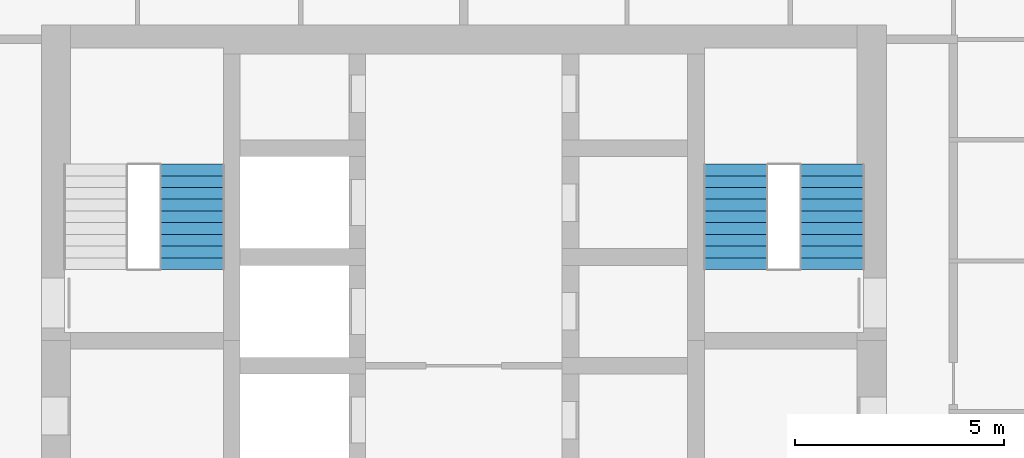
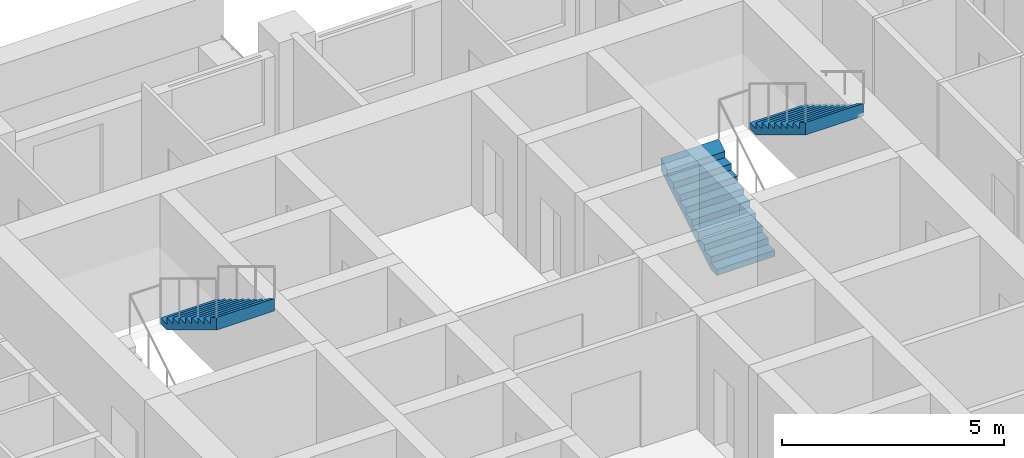
# One storey, part 16 of 18: 3 stair flights, 2 elements without a shape of their own.
"""IFC4 building model written with IfcOpenShell, lengths in metres."""

import ifcopenshell
import ifcopenshell.guid

model = None  # the IFC model being written
_history = None  # IfcOwnerHistory: only IFC2X3 demands one
_inside = {}  # id of a spatial element -> (the spatial element, [elements in it])
_under = {}  # id of a project, library or spatial element -> (it, [spatial elements below it])
_declared = {}  # id of a project -> (the project, [libraries it declares])
_typed = {}  # id of a type object -> (the type object, [elements of that type])
_made_of = {}  # id of a material, layer set ... -> (it, [elements and type objects made of it])


def new_model(schema):
    """Start an empty IFC model of exactly this schema.

    Asked for "IFC4X3", IfcOpenShell would pick the latest addendum, in which some entities
    have other attributes; the version numbers below select the first issue.
    IFC2X3 requires an IfcOwnerHistory on every rooted entity: one is made here for all.
    """
    global model, _history
    if schema == "IFC4X3":
        model = ifcopenshell.file(schema_version=(4, 3, 0, 0))
    else:
        model = ifcopenshell.file(schema=schema)
    _inside.clear()
    _under.clear()
    _declared.clear()
    _typed.clear()
    _made_of.clear()
    _history = None
    if model.schema == "IFC2X3":
        org = make("IfcOrganization", Name="unknown")
        user = make(
            "IfcPersonAndOrganization",
            ThePerson=make("IfcPerson", FamilyName="unknown"),
            TheOrganization=org,
        )
        app = make(
            "IfcApplication",
            ApplicationDeveloper=org,
            Version="unknown",
            ApplicationFullName="unknown",
            ApplicationIdentifier="unknown",
        )
        _history = make(
            "IfcOwnerHistory",
            OwningUser=user,
            OwningApplication=app,
            ChangeAction="ADDED",
            CreationDate=0,
        )
    return model


def make(cls, **values):
    """One entity of the class cls with the attributes given. An attribute that is None is left unset."""
    return model.create_entity(
        cls, **{name: value for name, value in values.items() if value is not None}
    )


def rooted(cls, **values):
    """An entity with a GlobalId (a new one), such as an element, a storey or a relation."""
    return make(cls, GlobalId=ifcopenshell.guid.new(), OwnerHistory=_history, **values)


def si_unit(unit_type, name, prefix=None):
    """IfcSIUnit, for example si_unit("LENGTHUNIT", "METRE", prefix="MILLI")."""
    return make("IfcSIUnit", UnitType=unit_type, Prefix=prefix, Name=name)


def assignment(units):
    """IfcUnitAssignment: the units of a project."""
    return None if units is None else make("IfcUnitAssignment", Units=units)


def point(xyz):
    """IfcCartesianPoint."""
    return None if xyz is None else make("IfcCartesianPoint", Coordinates=xyz)


def direction(xyz):
    """IfcDirection."""
    return None if xyz is None else make("IfcDirection", DirectionRatios=xyz)


def frame(location, z_axis=None, x_axis=None):
    """IfcAxis2Placement3D, a coordinate frame: its origin and axes. An axis left out is left unset."""
    return make(
        "IfcAxis2Placement3D",
        Location=point(location),
        Axis=direction(z_axis),
        RefDirection=direction(x_axis),
    )


def origin():
    """The frame at (0, 0, 0) with its axes left unset."""
    return frame((0.0, 0.0, 0.0))


def place(relative_to, where):
    """IfcLocalPlacement: puts the frame where relative to a parent placement (None: the world)."""
    return make(
        "IfcLocalPlacement", PlacementRelTo=relative_to, RelativePlacement=where
    )


def context(
    kind, dimensions, precision=None, world=None, true_north=None, identifier=None
):
    """IfcGeometricRepresentationContext, for example the 3D "Model" context."""
    return make(
        "IfcGeometricRepresentationContext",
        ContextIdentifier=identifier,
        ContextType=kind,
        CoordinateSpaceDimension=dimensions,
        Precision=precision,
        WorldCoordinateSystem=world,
        TrueNorth=true_north,
    )


def subcontext(parent, identifier, kind, view, scale=None):
    """IfcGeometricRepresentationSubContext, for example "Body" below "Model"."""
    return make(
        "IfcGeometricRepresentationSubContext",
        ContextIdentifier=identifier,
        ContextType=kind,
        ParentContext=parent,
        TargetScale=scale,
        TargetView=view,
    )


def project(units=None, contexts=None):
    """IfcProject with its units and contexts."""
    return rooted(
        "IfcProject",
        Name="project",
        RepresentationContexts=contexts,
        UnitsInContext=assignment(units),
    )


def spatial(cls, under=None, at=None, **own):
    """A site, building, storey or space (cls), placed at a placement, below another one or the project."""
    s = rooted(cls, ObjectPlacement=at, **own)
    if under is not None:
        _under.setdefault(under.id(), (under, []))[1].append(s)
    return s


def point_list(points):
    """IfcCartesianPointList2D or 3D."""
    cls = (
        "IfcCartesianPointList2D" if len(points[0]) == 2 else "IfcCartesianPointList3D"
    )
    return make(cls, CoordList=points)


def triangles(points, corners, closed=None, point_numbers=None):
    """IfcTriangulatedFaceSet: each triangle names its three corners, points numbered from 1."""
    return make(
        "IfcTriangulatedFaceSet",
        Coordinates=point_list(points),
        Closed=closed,
        CoordIndex=corners,
        PnIndex=point_numbers,
    )


def shape(context_of_items, identifier, shape_type, items):
    """IfcShapeRepresentation: the items that make up one representation, for example the "Body"."""
    return make(
        "IfcShapeRepresentation",
        ContextOfItems=context_of_items,
        RepresentationIdentifier=identifier,
        RepresentationType=shape_type,
        Items=items,
    )


def material(Name=None, Category=None):
    """IfcMaterial."""
    return make("IfcMaterial", Name=Name, Category=Category)


def made_of(thing, what):
    """Note that an element or type object is made of a material, layer set ...; save() writes the relation."""
    if what is not None:
        _made_of.setdefault(what.id(), (what, []))[1].append(thing)
    return thing


def type_object(cls, material=None, **own):
    """A type object (cls), such as IfcWallType, which elements share."""
    return made_of(rooted(cls, **own), material)


def element(
    cls,
    number,
    at=None,
    inside=None,
    cuts=None,
    type_object=None,
    material=None,
    context=None,
    identifier="Body",
    shape_type=None,
    held_by="IfcProductDefinitionShape",
    body=None,
    shapes=None,
    **own,
):
    """One element of the class cls, such as IfcWall. Its Tag is "e" and its number.

    at: its placement. inside: the storey or other place that contains it. cuts: it is an
    opening in that element (IfcRelVoidsElement). A single representation is given by context,
    identifier, shape_type and body (its items); several are given by shapes. held_by: the class
    of the entity that holds the representations. save() writes the other relations.
    """
    e = rooted(cls, Tag="e%d" % number, ObjectPlacement=at, **own)
    if body is not None:
        shapes = [shape(context, identifier, shape_type, body)]
    if shapes is not None:
        e.Representation = make(held_by, Representations=shapes)
    if inside is not None:
        _inside.setdefault(inside.id(), (inside, []))[1].append(e)
    if cuts is not None:
        rooted(
            "IfcRelVoidsElement", RelatingBuildingElement=cuts, RelatedOpeningElement=e
        )
    if type_object is not None:
        _typed.setdefault(type_object.id(), (type_object, []))[1].append(e)
    return made_of(e, material)


def aggregate(whole, parts):
    """IfcRelAggregates: a whole, such as a stair, and the parts it consists of."""
    return rooted("IfcRelAggregates", RelatingObject=whole, RelatedObjects=parts)


def save(model, path):
    """Write the relations noted so far, then the file.

    IfcRelAggregates (storeys below a building ...), IfcRelContainedInSpatialStructure (elements
    in a storey), IfcRelDefinesByType, IfcRelAssociatesMaterial and IfcRelDeclares: one each for
    every whole, place, type object, material and project.
    """
    for whole, parts in _under.values():
        aggregate(whole, parts)
    for where, things in _inside.values():
        rooted(
            "IfcRelContainedInSpatialStructure",
            RelatedElements=things,
            RelatingStructure=where,
        )
    for kind, things in _typed.values():
        rooted("IfcRelDefinesByType", RelatedObjects=things, RelatingType=kind)
    for what, things in _made_of.values():
        rooted("IfcRelAssociatesMaterial", RelatedObjects=things, RelatingMaterial=what)
    for by, libraries in _declared.values():
        rooted("IfcRelDeclares", RelatingContext=by, RelatedDefinitions=libraries)
    model.write(path)


model = new_model("IFC4")

# Units and contexts
model_context = context("Model", 3, precision=1e-05, world=origin(), true_north=direction((0.0, 1.0)))
body_context = subcontext(model_context, "Body", "Model", "MODEL_VIEW")
ifc_project = project(units=[si_unit("LENGTHUNIT", "METRE"), si_unit("AREAUNIT", "SQUARE_METRE"), si_unit("VOLUMEUNIT", "CUBIC_METRE"), si_unit("PLANEANGLEUNIT", "RADIAN"), si_unit("MASSUNIT", "GRAM", prefix="KILO")], contexts=[model_context])

# Site, building, storey
site_placement = place(None, origin())
site = spatial("IfcSite", under=ifc_project, at=site_placement, CompositionType="ELEMENT")
building_placement = place(site_placement, origin())
building = spatial("IfcBuilding", under=site, at=building_placement, Name="Ludao Terraces", CompositionType="ELEMENT")
storey_placement = place(building_placement, frame((0.0, 0.0, 64.800048828125)))
storey = spatial("IfcBuildingStorey", under=building, at=storey_placement, Name="L17", CompositionType="ELEMENT", Elevation=64.800048828125)

# Stair, stair flight
ifc_material = material(Name="Concrete C40", Category="concrete")
stair_type = type_object("IfcStairType", Name="INT Stair", PredefinedType="HALF_TURN_STAIR", material=ifc_material)
stair_1_placement = place(storey_placement, origin())
stair_1 = element("IfcStair", 1, at=stair_1_placement, inside=storey, type_object=stair_type, Name="EXIT STAIR 1", PredefinedType="HALF_TURN_STAIR")
stair_flight_type = type_object("IfcStairFlightType", Name="INT Stair flight", PredefinedType="STRAIGHT", material=ifc_material)
stair_flight_1_placement = place(storey_placement, frame((78.5, 81.52001953125, 1.699951171875), z_axis=(0.0, 0.0, 1.0), x_axis=(0.0, -1.0, 0.0)))
stair_flight_1 = element("IfcStairFlight", 2, at=stair_flight_1_placement, type_object=stair_flight_type, Name="ST1 flight 2", NumberOfRisers=10, NumberOfTreads=9, PredefinedType="STRAIGHT", RiserHeight=0.17, TreadLength=0.28, context=body_context, shape_type="Tessellation", body=[
    triangles([(0.0, -0.75, 0.0), (0.0, -0.5, 0.0), (0.0, -0.25, 0.0), (0.0, 0.0, 0.0), (0.0, 0.25, 0.0), (0.0, 0.5, 0.0), (0.0, 0.75, 0.0), (0.0, -0.75, 0.169921875), (0.0, -0.5, 0.169921875), (0.0, -0.25, 0.169921875), (0.0, 0.0, 0.169921875), (0.0, 0.25, 0.169921875), (0.0, 0.5, 0.169921875), (0.0, 0.75, 0.169921875), (0.280029296875, -0.75, 0.169921875), (0.280029296875, -0.5, 0.169921875), (0.280029296875, -0.25, 0.169921875), (0.280029296875, 0.0, 0.169921875), (0.280029296875, 0.25, 0.169921875), (0.280029296875, 0.5, 0.169921875), (0.280029296875, 0.75, 0.169921875), (0.280029296875, -0.75, 0.340087890625), (0.280029296875, -0.5, 0.340087890625), (0.280029296875, -0.25, 0.340087890625), (0.280029296875, 0.0, 0.340087890625), (0.280029296875, 0.25, 0.340087890625), (0.280029296875, 0.5, 0.340087890625), (0.280029296875, 0.75, 0.340087890625), (0.56005859375, -0.75, 0.340087890625), (0.56005859375, -0.5, 0.340087890625), (0.56005859375, -0.25, 0.340087890625), (0.56005859375, 0.0, 0.340087890625), (0.56005859375, 0.25, 0.340087890625), (0.56005859375, 0.5, 0.340087890625), (0.56005859375, 0.75, 0.340087890625), (0.56005859375, -0.75, 0.510009765625), (0.56005859375, -0.5, 0.510009765625), (0.56005859375, -0.25, 0.510009765625), (0.56005859375, 0.0, 0.510009765625), (0.56005859375, 0.25, 0.510009765625), (0.56005859375, 0.5, 0.510009765625), (0.56005859375, 0.75, 0.510009765625), (0.840087890625, -0.75, 0.510009765625), (0.840087890625, -0.5, 0.510009765625), (0.840087890625, -0.25, 0.510009765625), (0.840087890625, 0.0, 0.510009765625), (0.840087890625, 0.25, 0.510009765625), (0.840087890625, 0.5, 0.510009765625), (0.840087890625, 0.75, 0.510009765625), (0.840087890625, -0.75, 0.679931640625), (0.840087890625, -0.5, 0.679931640625), (0.840087890625, -0.25, 0.679931640625), (0.840087890625, 0.0, 0.679931640625), (0.840087890625, 0.25, 0.679931640625), (0.840087890625, 0.5, 0.679931640625), (0.840087890625, 0.75, 0.679931640625), (1.1201171875, -0.75, 0.679931640625), (1.1201171875, -0.5, 0.679931640625), (1.1201171875, -0.25, 0.679931640625), (1.1201171875, 0.0, 0.679931640625), (1.1201171875, 0.25, 0.679931640625), (1.1201171875, 0.5, 0.679931640625), (1.1201171875, 0.75, 0.679931640625), (1.1201171875, -0.75, 0.85009765625), (1.1201171875, -0.5, 0.85009765625), (1.1201171875, -0.25, 0.85009765625), (1.1201171875, 0.0, 0.85009765625), (1.1201171875, 0.25, 0.85009765625), (1.1201171875, 0.5, 0.85009765625), (1.1201171875, 0.75, 0.85009765625), (1.39990234375, -0.75, 0.85009765625), (1.39990234375, -0.5, 0.85009765625), (1.39990234375, -0.25, 0.85009765625), (1.39990234375, 0.0, 0.85009765625), (1.39990234375, 0.25, 0.85009765625), (1.39990234375, 0.5, 0.85009765625), (1.39990234375, 0.75, 0.85009765625), (1.39990234375, -0.75, 1.02001953125), (1.39990234375, -0.5, 1.02001953125), (1.39990234375, -0.25, 1.02001953125), (1.39990234375, 0.0, 1.02001953125), (1.39990234375, 0.25, 1.02001953125), (1.39990234375, 0.5, 1.02001953125), (1.39990234375, 0.75, 1.02001953125), (1.679931640625, -0.75, 1.02001953125), (1.679931640625, -0.5, 1.02001953125), (1.679931640625, -0.25, 1.02001953125), (1.679931640625, 0.0, 1.02001953125), (1.679931640625, 0.25, 1.02001953125), (1.679931640625, 0.5, 1.02001953125), (1.679931640625, 0.75, 1.02001953125), (1.679931640625, -0.75, 1.18994140625), (1.679931640625, -0.5, 1.18994140625), (1.679931640625, -0.25, 1.18994140625), (1.679931640625, 0.0, 1.18994140625), (1.679931640625, 0.25, 1.18994140625), (1.679931640625, 0.5, 1.18994140625), (1.679931640625, 0.75, 1.18994140625), (1.9599609375, -0.75, 1.18994140625), (1.9599609375, -0.5, 1.18994140625), (1.9599609375, -0.25, 1.18994140625), (1.9599609375, 0.0, 1.18994140625), (1.9599609375, 0.25, 1.18994140625), (1.9599609375, 0.5, 1.18994140625), (1.9599609375, 0.75, 1.18994140625), (1.9599609375, -0.75, 1.360107421875), (1.9599609375, -0.5, 1.360107421875), (1.9599609375, -0.25, 1.360107421875), (1.9599609375, 0.0, 1.360107421875), (1.9599609375, 0.25, 1.360107421875), (1.9599609375, 0.5, 1.360107421875), (1.9599609375, 0.75, 1.360107421875), (2.239990234375, -0.75, 1.360107421875), (2.239990234375, -0.5, 1.360107421875), (2.239990234375, -0.25, 1.360107421875), (2.239990234375, 0.0, 1.360107421875), (2.239990234375, 0.25, 1.360107421875), (2.239990234375, 0.5, 1.360107421875), (2.239990234375, 0.75, 1.360107421875), (2.239990234375, -0.75, 1.530029296875), (2.239990234375, -0.5, 1.530029296875), (2.239990234375, -0.25, 1.530029296875), (2.239990234375, 0.0, 1.530029296875), (2.239990234375, 0.25, 1.530029296875), (2.239990234375, 0.5, 1.530029296875), (2.239990234375, 0.75, 1.530029296875), (2.52001953125, -0.75, 1.699951171875), (2.52001953125, -0.5, 1.699951171875), (2.52001953125, -0.25, 1.699951171875), (2.52001953125, 0.0, 1.699951171875), (2.52001953125, 0.25, 1.699951171875), (2.52001953125, 0.5, 1.699951171875), (2.52001953125, 0.75, 1.699951171875), (2.52001953125, -0.75, 1.354736328125), (2.52001953125, -0.5, 1.354736328125), (2.52001953125, -0.25, 1.354736328125), (2.52001953125, 0.0, 1.354736328125), (2.52001953125, 0.25, 1.354736328125), (2.52001953125, 0.5, 1.354736328125), (2.52001953125, 0.75, 1.354736328125), (0.288818359375, -0.75, 0.0), (0.288818359375, -0.5, 0.0), (0.288818359375, -0.25, 0.0), (0.288818359375, 0.0, 0.0), (0.288818359375, 0.25, 0.0), (0.288818359375, 0.5, 0.0), (0.288818359375, 0.75, 0.0)], [[1, 141, 134], [7, 140, 147], [134, 127, 120], [140, 126, 133], [134, 120, 113], [140, 119, 126], [134, 113, 106], [140, 112, 119], [134, 106, 99], [140, 105, 112], [99, 92, 85], [105, 91, 98], [134, 99, 85], [140, 91, 105], [85, 78, 71], [91, 77, 84], [134, 85, 71], [140, 77, 91], [71, 64, 57], [77, 63, 70], [134, 71, 57], [140, 63, 77], [57, 50, 43], [63, 49, 56], [134, 57, 43], [140, 49, 63], [43, 36, 29], [49, 35, 42], [134, 43, 29], [140, 35, 49], [29, 22, 15], [35, 21, 28], [134, 29, 15], [140, 21, 35], [1, 134, 15], [7, 21, 140], [15, 8, 1], [21, 7, 14], [1, 9, 2], [1, 8, 9], [2, 10, 3], [2, 9, 10], [3, 11, 4], [3, 10, 11], [4, 12, 5], [4, 11, 12], [5, 13, 6], [5, 12, 13], [6, 14, 7], [6, 13, 14], [8, 16, 9], [8, 15, 16], [9, 17, 10], [9, 16, 17], [10, 18, 11], [10, 17, 18], [11, 19, 12], [11, 18, 19], [12, 20, 13], [12, 19, 20], [13, 21, 14], [13, 20, 21], [15, 23, 16], [15, 22, 23], [16, 24, 17], [16, 23, 24], [17, 25, 18], [17, 24, 25], [18, 26, 19], [18, 25, 26], [19, 27, 20], [19, 26, 27], [20, 28, 21], [20, 27, 28], [22, 30, 23], [22, 29, 30], [23, 31, 24], [23, 30, 31], [24, 32, 25], [24, 31, 32], [25, 33, 26], [25, 32, 33], [26, 34, 27], [26, 33, 34], [27, 35, 28], [27, 34, 35], [29, 37, 30], [29, 36, 37], [30, 38, 31], [30, 37, 38], [31, 39, 32], [31, 38, 39], [32, 40, 33], [32, 39, 40], [33, 41, 34], [33, 40, 41], [34, 42, 35], [34, 41, 42], [36, 44, 37], [36, 43, 44], [37, 45, 38], [37, 44, 45], [38, 46, 39], [38, 45, 46], [39, 47, 40], [39, 46, 47], [40, 48, 41], [40, 47, 48], [41, 49, 42], [41, 48, 49], [43, 51, 44], [43, 50, 51], [44, 52, 45], [44, 51, 52], [45, 53, 46], [45, 52, 53], [46, 54, 47], [46, 53, 54], [47, 55, 48], [47, 54, 55], [48, 56, 49], [48, 55, 56], [50, 58, 51], [50, 57, 58], [51, 59, 52], [51, 58, 59], [52, 60, 53], [52, 59, 60], [53, 61, 54], [53, 60, 61], [54, 62, 55], [54, 61, 62], [55, 63, 56], [55, 62, 63], [57, 65, 58], [57, 64, 65], [58, 66, 59], [58, 65, 66], [59, 67, 60], [59, 66, 67], [60, 68, 61], [60, 67, 68], [61, 69, 62], [61, 68, 69], [62, 70, 63], [62, 69, 70], [64, 72, 65], [64, 71, 72], [65, 73, 66], [65, 72, 73], [66, 74, 67], [66, 73, 74], [67, 75, 68], [67, 74, 75], [68, 76, 69], [68, 75, 76], [69, 77, 70], [69, 76, 77], [71, 79, 72], [71, 78, 79], [72, 80, 73], [72, 79, 80], [73, 81, 74], [73, 80, 81], [74, 82, 75], [74, 81, 82], [75, 83, 76], [75, 82, 83], [76, 84, 77], [76, 83, 84], [78, 86, 79], [78, 85, 86], [79, 87, 80], [79, 86, 87], [80, 88, 81], [80, 87, 88], [81, 89, 82], [81, 88, 89], [82, 90, 83], [82, 89, 90], [83, 91, 84], [83, 90, 91], [85, 93, 86], [85, 92, 93], [86, 94, 87], [86, 93, 94], [87, 95, 88], [87, 94, 95], [88, 96, 89], [88, 95, 96], [89, 97, 90], [89, 96, 97], [90, 98, 91], [90, 97, 98], [92, 100, 93], [92, 99, 100], [93, 101, 94], [93, 100, 101], [94, 102, 95], [94, 101, 102], [95, 103, 96], [95, 102, 103], [96, 104, 97], [96, 103, 104], [97, 105, 98], [97, 104, 105], [99, 107, 100], [99, 106, 107], [100, 108, 101], [100, 107, 108], [101, 109, 102], [101, 108, 109], [102, 110, 103], [102, 109, 110], [103, 111, 104], [103, 110, 111], [104, 112, 105], [104, 111, 112], [106, 114, 107], [106, 113, 114], [107, 115, 108], [107, 114, 115], [108, 116, 109], [108, 115, 116], [109, 117, 110], [109, 116, 117], [110, 118, 111], [110, 117, 118], [111, 119, 112], [111, 118, 119], [113, 121, 114], [113, 120, 121], [114, 122, 115], [114, 121, 122], [115, 123, 116], [115, 122, 123], [116, 124, 117], [116, 123, 124], [117, 125, 118], [117, 124, 125], [118, 126, 119], [118, 125, 126], [120, 128, 121], [120, 127, 128], [121, 129, 122], [121, 128, 129], [122, 130, 123], [122, 129, 130], [123, 131, 124], [123, 130, 131], [124, 132, 125], [124, 131, 132], [125, 133, 126], [125, 132, 133], [127, 135, 128], [127, 134, 135], [128, 136, 129], [128, 135, 136], [129, 137, 130], [129, 136, 137], [130, 138, 131], [130, 137, 138], [131, 139, 132], [131, 138, 139], [132, 140, 133], [132, 139, 140], [134, 142, 135], [134, 141, 142], [135, 143, 136], [135, 142, 143], [136, 144, 137], [136, 143, 144], [137, 145, 138], [137, 144, 145], [138, 146, 139], [138, 145, 146], [139, 147, 140], [139, 146, 147], [141, 2, 142], [141, 1, 2], [142, 3, 143], [142, 2, 3], [143, 4, 144], [143, 3, 4], [144, 5, 145], [144, 4, 5], [145, 6, 146], [145, 5, 6], [146, 7, 147], [146, 6, 7]], closed=True),
])
aggregate(stair_1, [stair_flight_1])

# Stair, stair flights
stair_2_placement = place(storey_placement, origin())
stair_2 = element("IfcStair", 3, at=stair_2_placement, inside=storey, type_object=stair_type, Name="EXIT STAIR 2", PredefinedType="HALF_TURN_STAIR")
stair_flight_2_placement = place(storey_placement, frame((91.5, 79.0, 0.0), z_axis=(0.0, 0.0, 1.0), x_axis=(0.0, 1.0, 0.0)))
stair_flight_2 = element("IfcStairFlight", 4, at=stair_flight_2_placement, type_object=stair_flight_type, Name="ST2 flight 1", NumberOfRisers=10, NumberOfTreads=9, PredefinedType="STRAIGHT", RiserHeight=0.17, TreadLength=0.28, context=body_context, shape_type="Tessellation", body=[
    triangles([(0.0, -0.75, 0.0), (0.0, -0.5, 0.0), (0.0, -0.25, 0.0), (0.0, 0.0, 0.0), (0.0, 0.25, 0.0), (0.0, 0.5, 0.0), (0.0, 0.75, 0.0), (0.0, -0.75, 0.169921875), (0.0, -0.5, 0.169921875), (0.0, -0.25, 0.169921875), (0.0, 0.0, 0.169921875), (0.0, 0.25, 0.169921875), (0.0, 0.5, 0.169921875), (0.0, 0.75, 0.169921875), (0.280029296875, -0.75, 0.169921875), (0.280029296875, -0.5, 0.169921875), (0.280029296875, -0.25, 0.169921875), (0.280029296875, 0.0, 0.169921875), (0.280029296875, 0.25, 0.169921875), (0.280029296875, 0.5, 0.169921875), (0.280029296875, 0.75, 0.169921875), (0.280029296875, -0.75, 0.340087890625), (0.280029296875, -0.5, 0.340087890625), (0.280029296875, -0.25, 0.340087890625), (0.280029296875, 0.0, 0.340087890625), (0.280029296875, 0.25, 0.340087890625), (0.280029296875, 0.5, 0.340087890625), (0.280029296875, 0.75, 0.340087890625), (0.56005859375, -0.75, 0.340087890625), (0.56005859375, -0.5, 0.340087890625), (0.56005859375, -0.25, 0.340087890625), (0.56005859375, 0.0, 0.340087890625), (0.56005859375, 0.25, 0.340087890625), (0.56005859375, 0.5, 0.340087890625), (0.56005859375, 0.75, 0.340087890625), (0.56005859375, -0.75, 0.510009765625), (0.56005859375, -0.5, 0.510009765625), (0.56005859375, -0.25, 0.510009765625), (0.56005859375, 0.0, 0.510009765625), (0.56005859375, 0.25, 0.510009765625), (0.56005859375, 0.5, 0.510009765625), (0.56005859375, 0.75, 0.510009765625), (0.840087890625, -0.75, 0.510009765625), (0.840087890625, -0.5, 0.510009765625), (0.840087890625, -0.25, 0.510009765625), (0.840087890625, 0.0, 0.510009765625), (0.840087890625, 0.25, 0.510009765625), (0.840087890625, 0.5, 0.510009765625), (0.840087890625, 0.75, 0.510009765625), (0.840087890625, -0.75, 0.679931640625), (0.840087890625, -0.5, 0.679931640625), (0.840087890625, -0.25, 0.679931640625), (0.840087890625, 0.0, 0.679931640625), (0.840087890625, 0.25, 0.679931640625), (0.840087890625, 0.5, 0.679931640625), (0.840087890625, 0.75, 0.679931640625), (1.1201171875, -0.75, 0.679931640625), (1.1201171875, -0.5, 0.679931640625), (1.1201171875, -0.25, 0.679931640625), (1.1201171875, 0.0, 0.679931640625), (1.1201171875, 0.25, 0.679931640625), (1.1201171875, 0.5, 0.679931640625), (1.1201171875, 0.75, 0.679931640625), (1.1201171875, -0.75, 0.85009765625), (1.1201171875, -0.5, 0.85009765625), (1.1201171875, -0.25, 0.85009765625), (1.1201171875, 0.0, 0.85009765625), (1.1201171875, 0.25, 0.85009765625), (1.1201171875, 0.5, 0.85009765625), (1.1201171875, 0.75, 0.85009765625), (1.39990234375, -0.75, 0.85009765625), (1.39990234375, -0.5, 0.85009765625), (1.39990234375, -0.25, 0.85009765625), (1.39990234375, 0.0, 0.85009765625), (1.39990234375, 0.25, 0.85009765625), (1.39990234375, 0.5, 0.85009765625), (1.39990234375, 0.75, 0.85009765625), (1.39990234375, -0.75, 1.02001953125), (1.39990234375, -0.5, 1.02001953125), (1.39990234375, -0.25, 1.02001953125), (1.39990234375, 0.0, 1.02001953125), (1.39990234375, 0.25, 1.02001953125), (1.39990234375, 0.5, 1.02001953125), (1.39990234375, 0.75, 1.02001953125), (1.679931640625, -0.75, 1.02001953125), (1.679931640625, -0.5, 1.02001953125), (1.679931640625, -0.25, 1.02001953125), (1.679931640625, 0.0, 1.02001953125), (1.679931640625, 0.25, 1.02001953125), (1.679931640625, 0.5, 1.02001953125), (1.679931640625, 0.75, 1.02001953125), (1.679931640625, -0.75, 1.18994140625), (1.679931640625, -0.5, 1.18994140625), (1.679931640625, -0.25, 1.18994140625), (1.679931640625, 0.0, 1.18994140625), (1.679931640625, 0.25, 1.18994140625), (1.679931640625, 0.5, 1.18994140625), (1.679931640625, 0.75, 1.18994140625), (1.9599609375, -0.75, 1.18994140625), (1.9599609375, -0.5, 1.18994140625), (1.9599609375, -0.25, 1.18994140625), (1.9599609375, 0.0, 1.18994140625), (1.9599609375, 0.25, 1.18994140625), (1.9599609375, 0.5, 1.18994140625), (1.9599609375, 0.75, 1.18994140625), (1.9599609375, -0.75, 1.360107421875), (1.9599609375, -0.5, 1.360107421875), (1.9599609375, -0.25, 1.360107421875), (1.9599609375, 0.0, 1.360107421875), (1.9599609375, 0.25, 1.360107421875), (1.9599609375, 0.5, 1.360107421875), (1.9599609375, 0.75, 1.360107421875), (2.239990234375, -0.75, 1.360107421875), (2.239990234375, -0.5, 1.360107421875), (2.239990234375, -0.25, 1.360107421875), (2.239990234375, 0.0, 1.360107421875), (2.239990234375, 0.25, 1.360107421875), (2.239990234375, 0.5, 1.360107421875), (2.239990234375, 0.75, 1.360107421875), (2.239990234375, -0.75, 1.530029296875), (2.239990234375, -0.5, 1.530029296875), (2.239990234375, -0.25, 1.530029296875), (2.239990234375, 0.0, 1.530029296875), (2.239990234375, 0.25, 1.530029296875), (2.239990234375, 0.5, 1.530029296875), (2.239990234375, 0.75, 1.530029296875), (2.52001953125, -0.75, 1.699951171875), (2.52001953125, -0.5, 1.699951171875), (2.52001953125, -0.25, 1.699951171875), (2.52001953125, 0.0, 1.699951171875), (2.52001953125, 0.25, 1.699951171875), (2.52001953125, 0.5, 1.699951171875), (2.52001953125, 0.75, 1.699951171875), (2.52001953125, -0.75, 1.354736328125), (2.52001953125, -0.5, 1.354736328125), (2.52001953125, -0.25, 1.354736328125), (2.52001953125, 0.0, 1.354736328125), (2.52001953125, 0.25, 1.354736328125), (2.52001953125, 0.5, 1.354736328125), (2.52001953125, 0.75, 1.354736328125), (0.288818359375, -0.75, 0.0), (0.288818359375, -0.5, 0.0), (0.288818359375, -0.25, 0.0), (0.288818359375, 0.0, 0.0), (0.288818359375, 0.25, 0.0), (0.288818359375, 0.5, 0.0), (0.288818359375, 0.75, 0.0)], [[1, 141, 134], [7, 140, 147], [134, 127, 120], [140, 126, 133], [134, 120, 113], [140, 119, 126], [134, 113, 106], [140, 112, 119], [134, 106, 99], [140, 105, 112], [99, 92, 85], [105, 91, 98], [134, 99, 85], [140, 91, 105], [85, 78, 71], [91, 77, 84], [134, 85, 71], [140, 77, 91], [71, 64, 57], [77, 63, 70], [134, 71, 57], [140, 63, 77], [57, 50, 43], [63, 49, 56], [134, 57, 43], [140, 49, 63], [43, 36, 29], [49, 35, 42], [134, 43, 29], [140, 35, 49], [29, 22, 15], [35, 21, 28], [134, 29, 15], [140, 21, 35], [1, 134, 15], [7, 21, 140], [15, 8, 1], [21, 7, 14], [1, 9, 2], [1, 8, 9], [2, 10, 3], [2, 9, 10], [3, 11, 4], [3, 10, 11], [4, 12, 5], [4, 11, 12], [5, 13, 6], [5, 12, 13], [6, 14, 7], [6, 13, 14], [8, 16, 9], [8, 15, 16], [9, 17, 10], [9, 16, 17], [10, 18, 11], [10, 17, 18], [11, 19, 12], [11, 18, 19], [12, 20, 13], [12, 19, 20], [13, 21, 14], [13, 20, 21], [15, 23, 16], [15, 22, 23], [16, 24, 17], [16, 23, 24], [17, 25, 18], [17, 24, 25], [18, 26, 19], [18, 25, 26], [19, 27, 20], [19, 26, 27], [20, 28, 21], [20, 27, 28], [22, 30, 23], [22, 29, 30], [23, 31, 24], [23, 30, 31], [24, 32, 25], [24, 31, 32], [25, 33, 26], [25, 32, 33], [26, 34, 27], [26, 33, 34], [27, 35, 28], [27, 34, 35], [29, 37, 30], [29, 36, 37], [30, 38, 31], [30, 37, 38], [31, 39, 32], [31, 38, 39], [32, 40, 33], [32, 39, 40], [33, 41, 34], [33, 40, 41], [34, 42, 35], [34, 41, 42], [36, 44, 37], [36, 43, 44], [37, 45, 38], [37, 44, 45], [38, 46, 39], [38, 45, 46], [39, 47, 40], [39, 46, 47], [40, 48, 41], [40, 47, 48], [41, 49, 42], [41, 48, 49], [43, 51, 44], [43, 50, 51], [44, 52, 45], [44, 51, 52], [45, 53, 46], [45, 52, 53], [46, 54, 47], [46, 53, 54], [47, 55, 48], [47, 54, 55], [48, 56, 49], [48, 55, 56], [50, 58, 51], [50, 57, 58], [51, 59, 52], [51, 58, 59], [52, 60, 53], [52, 59, 60], [53, 61, 54], [53, 60, 61], [54, 62, 55], [54, 61, 62], [55, 63, 56], [55, 62, 63], [57, 65, 58], [57, 64, 65], [58, 66, 59], [58, 65, 66], [59, 67, 60], [59, 66, 67], [60, 68, 61], [60, 67, 68], [61, 69, 62], [61, 68, 69], [62, 70, 63], [62, 69, 70], [64, 72, 65], [64, 71, 72], [65, 73, 66], [65, 72, 73], [66, 74, 67], [66, 73, 74], [67, 75, 68], [67, 74, 75], [68, 76, 69], [68, 75, 76], [69, 77, 70], [69, 76, 77], [71, 79, 72], [71, 78, 79], [72, 80, 73], [72, 79, 80], [73, 81, 74], [73, 80, 81], [74, 82, 75], [74, 81, 82], [75, 83, 76], [75, 82, 83], [76, 84, 77], [76, 83, 84], [78, 86, 79], [78, 85, 86], [79, 87, 80], [79, 86, 87], [80, 88, 81], [80, 87, 88], [81, 89, 82], [81, 88, 89], [82, 90, 83], [82, 89, 90], [83, 91, 84], [83, 90, 91], [85, 93, 86], [85, 92, 93], [86, 94, 87], [86, 93, 94], [87, 95, 88], [87, 94, 95], [88, 96, 89], [88, 95, 96], [89, 97, 90], [89, 96, 97], [90, 98, 91], [90, 97, 98], [92, 100, 93], [92, 99, 100], [93, 101, 94], [93, 100, 101], [94, 102, 95], [94, 101, 102], [95, 103, 96], [95, 102, 103], [96, 104, 97], [96, 103, 104], [97, 105, 98], [97, 104, 105], [99, 107, 100], [99, 106, 107], [100, 108, 101], [100, 107, 108], [101, 109, 102], [101, 108, 109], [102, 110, 103], [102, 109, 110], [103, 111, 104], [103, 110, 111], [104, 112, 105], [104, 111, 112], [106, 114, 107], [106, 113, 114], [107, 115, 108], [107, 114, 115], [108, 116, 109], [108, 115, 116], [109, 117, 110], [109, 116, 117], [110, 118, 111], [110, 117, 118], [111, 119, 112], [111, 118, 119], [113, 121, 114], [113, 120, 121], [114, 122, 115], [114, 121, 122], [115, 123, 116], [115, 122, 123], [116, 124, 117], [116, 123, 124], [117, 125, 118], [117, 124, 125], [118, 126, 119], [118, 125, 126], [120, 128, 121], [120, 127, 128], [121, 129, 122], [121, 128, 129], [122, 130, 123], [122, 129, 130], [123, 131, 124], [123, 130, 131], [124, 132, 125], [124, 131, 132], [125, 133, 126], [125, 132, 133], [127, 135, 128], [127, 134, 135], [128, 136, 129], [128, 135, 136], [129, 137, 130], [129, 136, 137], [130, 138, 131], [130, 137, 138], [131, 139, 132], [131, 138, 139], [132, 140, 133], [132, 139, 140], [134, 142, 135], [134, 141, 142], [135, 143, 136], [135, 142, 143], [136, 144, 137], [136, 143, 144], [137, 145, 138], [137, 144, 145], [138, 146, 139], [138, 145, 146], [139, 147, 140], [139, 146, 147], [141, 2, 142], [141, 1, 2], [142, 3, 143], [142, 2, 3], [143, 4, 144], [143, 3, 4], [144, 5, 145], [144, 4, 5], [145, 6, 146], [145, 5, 6], [146, 7, 147], [146, 6, 7]], closed=True),
])
stair_flight_3_placement = place(storey_placement, frame((93.800048828125, 81.52001953125, 1.699951171875), z_axis=(0.0, 0.0, 1.0), x_axis=(0.0, -1.0, 0.0)))
stair_flight_3 = element("IfcStairFlight", 5, at=stair_flight_3_placement, type_object=stair_flight_type, Name="ST2 flight 2", NumberOfRisers=10, NumberOfTreads=9, PredefinedType="STRAIGHT", RiserHeight=0.17, TreadLength=0.28, context=body_context, shape_type="Tessellation", body=[
    triangles([(0.0, -0.75, 0.0), (0.0, -0.5, 0.0), (0.0, -0.25, 0.0), (0.0, 0.0, 0.0), (0.0, 0.25, 0.0), (0.0, 0.5, 0.0), (0.0, 0.75, 0.0), (0.0, -0.75, 0.169921875), (0.0, -0.5, 0.169921875), (0.0, -0.25, 0.169921875), (0.0, 0.0, 0.169921875), (0.0, 0.25, 0.169921875), (0.0, 0.5, 0.169921875), (0.0, 0.75, 0.169921875), (0.280029296875, -0.75, 0.169921875), (0.280029296875, -0.5, 0.169921875), (0.280029296875, -0.25, 0.169921875), (0.280029296875, 0.0, 0.169921875), (0.280029296875, 0.25, 0.169921875), (0.280029296875, 0.5, 0.169921875), (0.280029296875, 0.75, 0.169921875), (0.280029296875, -0.75, 0.340087890625), (0.280029296875, -0.5, 0.340087890625), (0.280029296875, -0.25, 0.340087890625), (0.280029296875, 0.0, 0.340087890625), (0.280029296875, 0.25, 0.340087890625), (0.280029296875, 0.5, 0.340087890625), (0.280029296875, 0.75, 0.340087890625), (0.56005859375, -0.75, 0.340087890625), (0.56005859375, -0.5, 0.340087890625), (0.56005859375, -0.25, 0.340087890625), (0.56005859375, 0.0, 0.340087890625), (0.56005859375, 0.25, 0.340087890625), (0.56005859375, 0.5, 0.340087890625), (0.56005859375, 0.75, 0.340087890625), (0.56005859375, -0.75, 0.510009765625), (0.56005859375, -0.5, 0.510009765625), (0.56005859375, -0.25, 0.510009765625), (0.56005859375, 0.0, 0.510009765625), (0.56005859375, 0.25, 0.510009765625), (0.56005859375, 0.5, 0.510009765625), (0.56005859375, 0.75, 0.510009765625), (0.840087890625, -0.75, 0.510009765625), (0.840087890625, -0.5, 0.510009765625), (0.840087890625, -0.25, 0.510009765625), (0.840087890625, 0.0, 0.510009765625), (0.840087890625, 0.25, 0.510009765625), (0.840087890625, 0.5, 0.510009765625), (0.840087890625, 0.75, 0.510009765625), (0.840087890625, -0.75, 0.679931640625), (0.840087890625, -0.5, 0.679931640625), (0.840087890625, -0.25, 0.679931640625), (0.840087890625, 0.0, 0.679931640625), (0.840087890625, 0.25, 0.679931640625), (0.840087890625, 0.5, 0.679931640625), (0.840087890625, 0.75, 0.679931640625), (1.1201171875, -0.75, 0.679931640625), (1.1201171875, -0.5, 0.679931640625), (1.1201171875, -0.25, 0.679931640625), (1.1201171875, 0.0, 0.679931640625), (1.1201171875, 0.25, 0.679931640625), (1.1201171875, 0.5, 0.679931640625), (1.1201171875, 0.75, 0.679931640625), (1.1201171875, -0.75, 0.85009765625), (1.1201171875, -0.5, 0.85009765625), (1.1201171875, -0.25, 0.85009765625), (1.1201171875, 0.0, 0.85009765625), (1.1201171875, 0.25, 0.85009765625), (1.1201171875, 0.5, 0.85009765625), (1.1201171875, 0.75, 0.85009765625), (1.39990234375, -0.75, 0.85009765625), (1.39990234375, -0.5, 0.85009765625), (1.39990234375, -0.25, 0.85009765625), (1.39990234375, 0.0, 0.85009765625), (1.39990234375, 0.25, 0.85009765625), (1.39990234375, 0.5, 0.85009765625), (1.39990234375, 0.75, 0.85009765625), (1.39990234375, -0.75, 1.02001953125), (1.39990234375, -0.5, 1.02001953125), (1.39990234375, -0.25, 1.02001953125), (1.39990234375, 0.0, 1.02001953125), (1.39990234375, 0.25, 1.02001953125), (1.39990234375, 0.5, 1.02001953125), (1.39990234375, 0.75, 1.02001953125), (1.679931640625, -0.75, 1.02001953125), (1.679931640625, -0.5, 1.02001953125), (1.679931640625, -0.25, 1.02001953125), (1.679931640625, 0.0, 1.02001953125), (1.679931640625, 0.25, 1.02001953125), (1.679931640625, 0.5, 1.02001953125), (1.679931640625, 0.75, 1.02001953125), (1.679931640625, -0.75, 1.18994140625), (1.679931640625, -0.5, 1.18994140625), (1.679931640625, -0.25, 1.18994140625), (1.679931640625, 0.0, 1.18994140625), (1.679931640625, 0.25, 1.18994140625), (1.679931640625, 0.5, 1.18994140625), (1.679931640625, 0.75, 1.18994140625), (1.9599609375, -0.75, 1.18994140625), (1.9599609375, -0.5, 1.18994140625), (1.9599609375, -0.25, 1.18994140625), (1.9599609375, 0.0, 1.18994140625), (1.9599609375, 0.25, 1.18994140625), (1.9599609375, 0.5, 1.18994140625), (1.9599609375, 0.75, 1.18994140625), (1.9599609375, -0.75, 1.360107421875), (1.9599609375, -0.5, 1.360107421875), (1.9599609375, -0.25, 1.360107421875), (1.9599609375, 0.0, 1.360107421875), (1.9599609375, 0.25, 1.360107421875), (1.9599609375, 0.5, 1.360107421875), (1.9599609375, 0.75, 1.360107421875), (2.239990234375, -0.75, 1.360107421875), (2.239990234375, -0.5, 1.360107421875), (2.239990234375, -0.25, 1.360107421875), (2.239990234375, 0.0, 1.360107421875), (2.239990234375, 0.25, 1.360107421875), (2.239990234375, 0.5, 1.360107421875), (2.239990234375, 0.75, 1.360107421875), (2.239990234375, -0.75, 1.530029296875), (2.239990234375, -0.5, 1.530029296875), (2.239990234375, -0.25, 1.530029296875), (2.239990234375, 0.0, 1.530029296875), (2.239990234375, 0.25, 1.530029296875), (2.239990234375, 0.5, 1.530029296875), (2.239990234375, 0.75, 1.530029296875), (2.52001953125, -0.75, 1.699951171875), (2.52001953125, -0.5, 1.699951171875), (2.52001953125, -0.25, 1.699951171875), (2.52001953125, 0.0, 1.699951171875), (2.52001953125, 0.25, 1.699951171875), (2.52001953125, 0.5, 1.699951171875), (2.52001953125, 0.75, 1.699951171875), (2.52001953125, -0.75, 1.354736328125), (2.52001953125, -0.5, 1.354736328125), (2.52001953125, -0.25, 1.354736328125), (2.52001953125, 0.0, 1.354736328125), (2.52001953125, 0.25, 1.354736328125), (2.52001953125, 0.5, 1.354736328125), (2.52001953125, 0.75, 1.354736328125), (0.288818359375, -0.75, 0.0), (0.288818359375, -0.5, 0.0), (0.288818359375, -0.25, 0.0), (0.288818359375, 0.0, 0.0), (0.288818359375, 0.25, 0.0), (0.288818359375, 0.5, 0.0), (0.288818359375, 0.75, 0.0)], [[1, 141, 134], [7, 140, 147], [134, 127, 120], [140, 126, 133], [134, 120, 113], [140, 119, 126], [134, 113, 106], [140, 112, 119], [134, 106, 99], [140, 105, 112], [99, 92, 85], [105, 91, 98], [134, 99, 85], [140, 91, 105], [85, 78, 71], [91, 77, 84], [134, 85, 71], [140, 77, 91], [71, 64, 57], [77, 63, 70], [134, 71, 57], [140, 63, 77], [57, 50, 43], [63, 49, 56], [134, 57, 43], [140, 49, 63], [43, 36, 29], [49, 35, 42], [134, 43, 29], [140, 35, 49], [29, 22, 15], [35, 21, 28], [134, 29, 15], [140, 21, 35], [1, 134, 15], [7, 21, 140], [15, 8, 1], [21, 7, 14], [1, 9, 2], [1, 8, 9], [2, 10, 3], [2, 9, 10], [3, 11, 4], [3, 10, 11], [4, 12, 5], [4, 11, 12], [5, 13, 6], [5, 12, 13], [6, 14, 7], [6, 13, 14], [8, 16, 9], [8, 15, 16], [9, 17, 10], [9, 16, 17], [10, 18, 11], [10, 17, 18], [11, 19, 12], [11, 18, 19], [12, 20, 13], [12, 19, 20], [13, 21, 14], [13, 20, 21], [15, 23, 16], [15, 22, 23], [16, 24, 17], [16, 23, 24], [17, 25, 18], [17, 24, 25], [18, 26, 19], [18, 25, 26], [19, 27, 20], [19, 26, 27], [20, 28, 21], [20, 27, 28], [22, 30, 23], [22, 29, 30], [23, 31, 24], [23, 30, 31], [24, 32, 25], [24, 31, 32], [25, 33, 26], [25, 32, 33], [26, 34, 27], [26, 33, 34], [27, 35, 28], [27, 34, 35], [29, 37, 30], [29, 36, 37], [30, 38, 31], [30, 37, 38], [31, 39, 32], [31, 38, 39], [32, 40, 33], [32, 39, 40], [33, 41, 34], [33, 40, 41], [34, 42, 35], [34, 41, 42], [36, 44, 37], [36, 43, 44], [37, 45, 38], [37, 44, 45], [38, 46, 39], [38, 45, 46], [39, 47, 40], [39, 46, 47], [40, 48, 41], [40, 47, 48], [41, 49, 42], [41, 48, 49], [43, 51, 44], [43, 50, 51], [44, 52, 45], [44, 51, 52], [45, 53, 46], [45, 52, 53], [46, 54, 47], [46, 53, 54], [47, 55, 48], [47, 54, 55], [48, 56, 49], [48, 55, 56], [50, 58, 51], [50, 57, 58], [51, 59, 52], [51, 58, 59], [52, 60, 53], [52, 59, 60], [53, 61, 54], [53, 60, 61], [54, 62, 55], [54, 61, 62], [55, 63, 56], [55, 62, 63], [57, 65, 58], [57, 64, 65], [58, 66, 59], [58, 65, 66], [59, 67, 60], [59, 66, 67], [60, 68, 61], [60, 67, 68], [61, 69, 62], [61, 68, 69], [62, 70, 63], [62, 69, 70], [64, 72, 65], [64, 71, 72], [65, 73, 66], [65, 72, 73], [66, 74, 67], [66, 73, 74], [67, 75, 68], [67, 74, 75], [68, 76, 69], [68, 75, 76], [69, 77, 70], [69, 76, 77], [71, 79, 72], [71, 78, 79], [72, 80, 73], [72, 79, 80], [73, 81, 74], [73, 80, 81], [74, 82, 75], [74, 81, 82], [75, 83, 76], [75, 82, 83], [76, 84, 77], [76, 83, 84], [78, 86, 79], [78, 85, 86], [79, 87, 80], [79, 86, 87], [80, 88, 81], [80, 87, 88], [81, 89, 82], [81, 88, 89], [82, 90, 83], [82, 89, 90], [83, 91, 84], [83, 90, 91], [85, 93, 86], [85, 92, 93], [86, 94, 87], [86, 93, 94], [87, 95, 88], [87, 94, 95], [88, 96, 89], [88, 95, 96], [89, 97, 90], [89, 96, 97], [90, 98, 91], [90, 97, 98], [92, 100, 93], [92, 99, 100], [93, 101, 94], [93, 100, 101], [94, 102, 95], [94, 101, 102], [95, 103, 96], [95, 102, 103], [96, 104, 97], [96, 103, 104], [97, 105, 98], [97, 104, 105], [99, 107, 100], [99, 106, 107], [100, 108, 101], [100, 107, 108], [101, 109, 102], [101, 108, 109], [102, 110, 103], [102, 109, 110], [103, 111, 104], [103, 110, 111], [104, 112, 105], [104, 111, 112], [106, 114, 107], [106, 113, 114], [107, 115, 108], [107, 114, 115], [108, 116, 109], [108, 115, 116], [109, 117, 110], [109, 116, 117], [110, 118, 111], [110, 117, 118], [111, 119, 112], [111, 118, 119], [113, 121, 114], [113, 120, 121], [114, 122, 115], [114, 121, 122], [115, 123, 116], [115, 122, 123], [116, 124, 117], [116, 123, 124], [117, 125, 118], [117, 124, 125], [118, 126, 119], [118, 125, 126], [120, 128, 121], [120, 127, 128], [121, 129, 122], [121, 128, 129], [122, 130, 123], [122, 129, 130], [123, 131, 124], [123, 130, 131], [124, 132, 125], [124, 131, 132], [125, 133, 126], [125, 132, 133], [127, 135, 128], [127, 134, 135], [128, 136, 129], [128, 135, 136], [129, 137, 130], [129, 136, 137], [130, 138, 131], [130, 137, 138], [131, 139, 132], [131, 138, 139], [132, 140, 133], [132, 139, 140], [134, 142, 135], [134, 141, 142], [135, 143, 136], [135, 142, 143], [136, 144, 137], [136, 143, 144], [137, 145, 138], [137, 144, 145], [138, 146, 139], [138, 145, 146], [139, 147, 140], [139, 146, 147], [141, 2, 142], [141, 1, 2], [142, 3, 143], [142, 2, 3], [143, 4, 144], [143, 3, 4], [144, 5, 145], [144, 4, 5], [145, 6, 146], [145, 5, 6], [146, 7, 147], [146, 6, 7]], closed=True),
])
aggregate(stair_2, [stair_flight_2, stair_flight_3])

save(model, "model.ifc")
